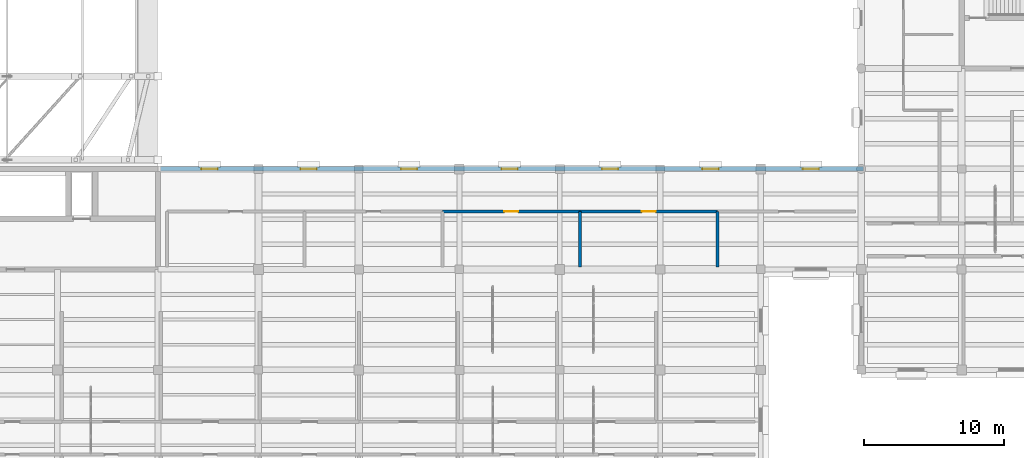
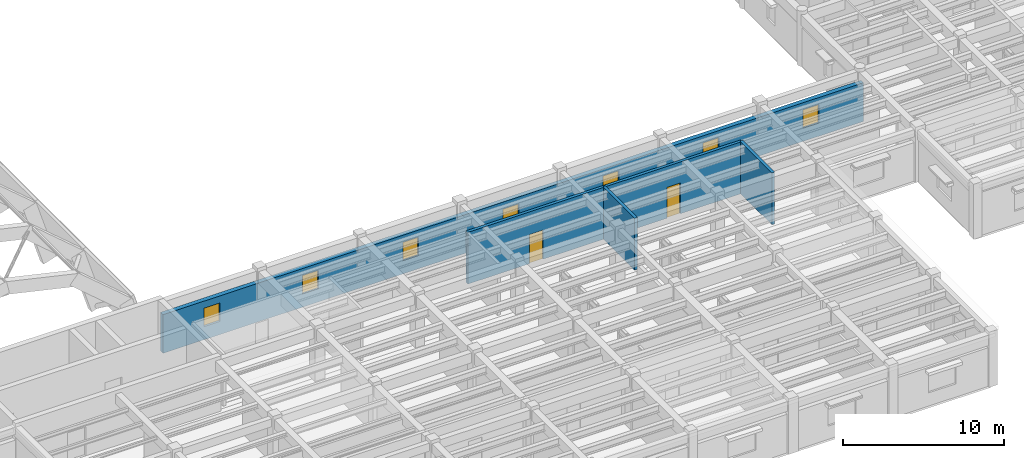
# One storey, part 42 of 66: 7 windows, 5 walls, 2 doors, 9 openings.
"""IFC4 building model written with IfcOpenShell, lengths in metres."""

from ifc_helpers import new_model, si_unit, direction, frame, frame_2d, origin, place, context, subcontext, project, spatial, rectangle, extrude, material, layer, layer_set, type_object, element, fill, save


model = new_model("IFC4")

# Units and contexts
model_context = context("Model", 3, precision=1e-05, world=origin(), true_north=direction((0.0, 1.0)))
body_context = subcontext(model_context, "Body", "Model", "MODEL_VIEW")
ifc_project = project(units=[si_unit("LENGTHUNIT", "METRE"), si_unit("AREAUNIT", "SQUARE_METRE"), si_unit("VOLUMEUNIT", "CUBIC_METRE"), si_unit("PLANEANGLEUNIT", "RADIAN"), si_unit("MASSUNIT", "GRAM", prefix="KILO")], contexts=[model_context])

# Site, building, storey
site_placement = place(None, origin())
site = spatial("IfcSite", under=ifc_project, at=site_placement, CompositionType="ELEMENT")
building_placement = place(site_placement, origin())
building = spatial("IfcBuilding", under=site, at=building_placement, Name="Mithqara Police Headquarters", CompositionType="ELEMENT")
storey_placement = place(building_placement, frame((0.0, 0.0, 9.60009765625)))
storey = spatial("IfcBuildingStorey", under=building, at=storey_placement, Name="L02", CompositionType="ELEMENT", Elevation=9.60009765625)

# Wall, openings, windows
ifc_material_1 = material(Name="Limestone ashlar masonry, 45 MPa", Category="masonry")
ifc_layer_1 = layer(ifc_material_1, 0.320068359375, Name="Limestone ashlar masonry, 45 MPa")
ifc_layer_set_1 = layer_set([ifc_layer_1], Name="Limestone ashlar masonry, 45 MPa")
wall_type_1 = type_object("IfcWallType", Name="EXT WALL LIMESTONE320", PredefinedType="SOLIDWALL", material=ifc_layer_set_1)
wall_1_placement = place(storey_placement, frame((144.760009765625, 35.39990234375, 0.0), z_axis=(0.0, 0.0, 1.0), x_axis=(-1.0, 0.0, 0.0)))
wall_1 = element("IfcWall", 1, at=wall_1_placement, inside=storey, type_object=wall_type_1, Name="L02 Exterior Wall 6.1", PredefinedType="SOLIDWALL", context=body_context, shape_type="SweptSolid", body=[
    extrude(rectangle(XDim=50.3701171875, YDim=0.320068359375, at=frame_2d((25.18505859375, 0.0))), origin(), (0.0, 0.0, 1.0), 2.93994140625),
])
opening_1_placement = place(wall_1_placement, frame((46.2900390625, 0.0, 1.0)))
opening_1 = element("IfcOpeningElement", 2, at=opening_1_placement, cuts=wall_1, Name="Opening W-11", PredefinedType="OPENING", context=body_context, shape_type="SweptSolid", body=[
    extrude(rectangle(XDim=1.14990234375, YDim=1.39990234375, at=frame_2d((0.574951171875, 0.699951171875))), frame((0.0, 0.169921875, 0.0), z_axis=(0.0, -1.0, 0.0), x_axis=(1.0, 0.0, 0.0)), (0.0, 0.0, 1.0), 0.340087890625),
])
opening_2_placement = place(wall_1_placement, frame((39.18505859375, 0.0, 1.0)))
opening_2 = element("IfcOpeningElement", 3, at=opening_2_placement, cuts=wall_1, Name="Opening W-11", PredefinedType="OPENING", context=body_context, shape_type="SweptSolid", body=[
    extrude(rectangle(XDim=1.14990234375, YDim=1.39990234375, at=frame_2d((0.574951171875, 0.699951171875))), frame((0.0, 0.169921875, 0.0), z_axis=(0.0, -1.0, 0.0), x_axis=(1.0, 0.0, 0.0)), (0.0, 0.0, 1.0), 0.340087890625),
])
opening_3_placement = place(wall_1_placement, frame((31.985107421875, 0.0, 1.0)))
opening_3 = element("IfcOpeningElement", 4, at=opening_3_placement, cuts=wall_1, Name="Opening W-11", PredefinedType="OPENING", context=body_context, shape_type="SweptSolid", body=[
    extrude(rectangle(XDim=1.14990234375, YDim=1.39990234375, at=frame_2d((0.574951171875, 0.699951171875))), frame((0.0, 0.169921875, 0.0), z_axis=(0.0, -1.0, 0.0), x_axis=(1.0, 0.0, 0.0)), (0.0, 0.0, 1.0), 0.340087890625),
])
opening_4_placement = place(wall_1_placement, frame((24.784912109375, 0.0, 1.0)))
opening_4 = element("IfcOpeningElement", 5, at=opening_4_placement, cuts=wall_1, Name="Opening W-11", PredefinedType="OPENING", context=body_context, shape_type="SweptSolid", body=[
    extrude(rectangle(XDim=1.14990234375, YDim=1.39990234375, at=frame_2d((0.574951171875, 0.699951171875))), frame((0.0, 0.169921875, 0.0), z_axis=(0.0, -1.0, 0.0), x_axis=(1.0, 0.0, 0.0)), (0.0, 0.0, 1.0), 0.340087890625),
])
opening_5_placement = place(wall_1_placement, frame((17.5849609375, 0.0, 1.0)))
opening_5 = element("IfcOpeningElement", 6, at=opening_5_placement, cuts=wall_1, Name="Opening W-11", PredefinedType="OPENING", context=body_context, shape_type="SweptSolid", body=[
    extrude(rectangle(XDim=1.14990234375, YDim=1.39990234375, at=frame_2d((0.574951171875, 0.699951171875))), frame((0.0, 0.169921875, 0.0), z_axis=(0.0, -1.0, 0.0), x_axis=(1.0, 0.0, 0.0)), (0.0, 0.0, 1.0), 0.340087890625),
])
opening_6_placement = place(wall_1_placement, frame((10.385009765625, 0.0, 1.0)))
opening_6 = element("IfcOpeningElement", 7, at=opening_6_placement, cuts=wall_1, Name="Opening W-11", PredefinedType="OPENING", context=body_context, shape_type="SweptSolid", body=[
    extrude(rectangle(XDim=1.14990234375, YDim=1.39990234375, at=frame_2d((0.574951171875, 0.699951171875))), frame((0.0, 0.169921875, 0.0), z_axis=(0.0, -1.0, 0.0), x_axis=(1.0, 0.0, 0.0)), (0.0, 0.0, 1.0), 0.340087890625),
])
opening_7_placement = place(wall_1_placement, frame((3.18505859375, 0.0, 1.0)))
opening_7 = element("IfcOpeningElement", 8, at=opening_7_placement, cuts=wall_1, Name="Opening W-11", PredefinedType="OPENING", context=body_context, shape_type="SweptSolid", body=[
    extrude(rectangle(XDim=1.14990234375, YDim=1.39990234375, at=frame_2d((0.574951171875, 0.699951171875))), frame((0.0, 0.169921875, 0.0), z_axis=(0.0, -1.0, 0.0), x_axis=(1.0, 0.0, 0.0)), (0.0, 0.0, 1.0), 0.340087890625),
])
ifc_material_2 = material(Name="Spectrally selective double low-e glass", Category="glass")
window_type = type_object("IfcWindowType", Name="WINDOW 1150X1400", PartitioningType="SINGLE_PANEL", PredefinedType="WINDOW", material=ifc_material_2)
window_1_placement = place(opening_1_placement, origin())
window_1 = element("IfcWindow", 9, at=window_1_placement, inside=storey, type_object=window_type, Name="L02 Deep-Set Punched Window 6.1", OverallHeight=1.39990234375, OverallWidth=1.14990234375, PartitioningType="SINGLE_PANEL", PredefinedType="WINDOW", context=body_context, shape_type="SweptSolid", body=[
    extrude(rectangle(XDim=1.14990234375, YDim=1.39990234375, at=frame_2d((0.574951171875, 0.699951171875))), frame((0.0, 0.030029296875, 0.0), z_axis=(0.0, -1.0, 0.0), x_axis=(1.0, 0.0, 0.0)), (0.0, 0.0, 1.0), 0.06005859375),
])
fill(opening_1, window_1)
window_2_placement = place(opening_2_placement, origin())
window_2 = element("IfcWindow", 10, at=window_2_placement, inside=storey, type_object=window_type, Name="L02 Deep-Set Punched Window 6.2", OverallHeight=1.39990234375, OverallWidth=1.14990234375, PartitioningType="SINGLE_PANEL", PredefinedType="WINDOW", context=body_context, shape_type="SweptSolid", body=[
    extrude(rectangle(XDim=1.14990234375, YDim=1.39990234375, at=frame_2d((0.574951171875, 0.699951171875))), frame((0.0, 0.030029296875, 0.0), z_axis=(0.0, -1.0, 0.0), x_axis=(1.0, 0.0, 0.0)), (0.0, 0.0, 1.0), 0.06005859375),
])
fill(opening_2, window_2)
window_3_placement = place(opening_3_placement, origin())
window_3 = element("IfcWindow", 11, at=window_3_placement, inside=storey, type_object=window_type, Name="L02 Deep-Set Punched Window 6.3", OverallHeight=1.39990234375, OverallWidth=1.14990234375, PartitioningType="SINGLE_PANEL", PredefinedType="WINDOW", context=body_context, shape_type="SweptSolid", body=[
    extrude(rectangle(XDim=1.14990234375, YDim=1.39990234375, at=frame_2d((0.574951171875, 0.699951171875))), frame((0.0, 0.030029296875, 0.0), z_axis=(0.0, -1.0, 0.0), x_axis=(1.0, 0.0, 0.0)), (0.0, 0.0, 1.0), 0.06005859375),
])
fill(opening_3, window_3)
window_4_placement = place(opening_4_placement, origin())
window_4 = element("IfcWindow", 12, at=window_4_placement, inside=storey, type_object=window_type, Name="L02 Deep-Set Punched Window 6.4", OverallHeight=1.39990234375, OverallWidth=1.14990234375, PartitioningType="SINGLE_PANEL", PredefinedType="WINDOW", context=body_context, shape_type="SweptSolid", body=[
    extrude(rectangle(XDim=1.14990234375, YDim=1.39990234375, at=frame_2d((0.574951171875, 0.699951171875))), frame((0.0, 0.030029296875, 0.0), z_axis=(0.0, -1.0, 0.0), x_axis=(1.0, 0.0, 0.0)), (0.0, 0.0, 1.0), 0.06005859375),
])
fill(opening_4, window_4)
window_5_placement = place(opening_5_placement, origin())
window_5 = element("IfcWindow", 13, at=window_5_placement, inside=storey, type_object=window_type, Name="L02 Deep-Set Punched Window 6.5", OverallHeight=1.39990234375, OverallWidth=1.14990234375, PartitioningType="SINGLE_PANEL", PredefinedType="WINDOW", context=body_context, shape_type="SweptSolid", body=[
    extrude(rectangle(XDim=1.14990234375, YDim=1.39990234375, at=frame_2d((0.574951171875, 0.699951171875))), frame((0.0, 0.030029296875, 0.0), z_axis=(0.0, -1.0, 0.0), x_axis=(1.0, 0.0, 0.0)), (0.0, 0.0, 1.0), 0.06005859375),
])
fill(opening_5, window_5)
window_6_placement = place(opening_6_placement, origin())
window_6 = element("IfcWindow", 14, at=window_6_placement, inside=storey, type_object=window_type, Name="L02 Deep-Set Punched Window 6.6", OverallHeight=1.39990234375, OverallWidth=1.14990234375, PartitioningType="SINGLE_PANEL", PredefinedType="WINDOW", context=body_context, shape_type="SweptSolid", body=[
    extrude(rectangle(XDim=1.14990234375, YDim=1.39990234375, at=frame_2d((0.574951171875, 0.699951171875))), frame((0.0, 0.030029296875, 0.0), z_axis=(0.0, -1.0, 0.0), x_axis=(1.0, 0.0, 0.0)), (0.0, 0.0, 1.0), 0.06005859375),
])
fill(opening_6, window_6)
window_7_placement = place(opening_7_placement, origin())
window_7 = element("IfcWindow", 15, at=window_7_placement, inside=storey, type_object=window_type, Name="L02 Deep-Set Punched Window 6.7", OverallHeight=1.39990234375, OverallWidth=1.14990234375, PartitioningType="SINGLE_PANEL", PredefinedType="WINDOW", context=body_context, shape_type="SweptSolid", body=[
    extrude(rectangle(XDim=1.14990234375, YDim=1.39990234375, at=frame_2d((0.574951171875, 0.699951171875))), frame((0.0, 0.030029296875, 0.0), z_axis=(0.0, -1.0, 0.0), x_axis=(1.0, 0.0, 0.0)), (0.0, 0.0, 1.0), 0.06005859375),
])
fill(opening_7, window_7)

# Wall, opening, door
ifc_material_3 = material(Name="Concrete C40/50", Category="concrete")
ifc_layer_2 = layer(ifc_material_3, 0.2099609375, Name="Concrete C40/50")
ifc_layer_set_2 = layer_set([ifc_layer_2], Name="Concrete C40/50")
wall_type_2 = type_object("IfcWallType", Name="PART WALL 210", PredefinedType="PARTITIONING", material=ifc_layer_set_2)
wall_2_placement = place(storey_placement, frame((114.58203125, 32.360107421875, 0.0), z_axis=(0.0, 0.0, 1.0), x_axis=(1.0, 0.0, 0.0)))
wall_2 = element("IfcWall", 16, at=wall_2_placement, inside=storey, type_object=wall_type_2, Name="L02 Corridor Wall Community Safety Analysis Office", PredefinedType="PARTITIONING", context=body_context, shape_type="SweptSolid", body=[
    extrude(rectangle(XDim=9.865966796875, YDim=0.2099609375, at=frame_2d((4.93310546875, 0.0))), origin(), (0.0, 0.0, 1.0), 3.93994140625),
])
opening_8_placement = place(wall_2_placement, frame((4.443115234375, 0.0, 0.0)))
opening_8 = element("IfcOpeningElement", 17, at=opening_8_placement, cuts=wall_2, Name="Opening D-05", PredefinedType="OPENING", context=body_context, shape_type="SweptSolid", body=[
    extrude(rectangle(XDim=0.97998046875, YDim=2.219970703125, at=frame_2d((0.489990234375, 1.10986328125))), frame((0.0, 0.114990234375, 0.0), z_axis=(0.0, -1.0, 0.0), x_axis=(1.0, 0.0, 0.0)), (0.0, 0.0, 1.0), 0.22998046875),
])
ifc_material_4 = material(Name="Acoustic solid-core timber leaf", Category="wood")
door_type_1 = type_object("IfcDoorType", Name="INT DOOR 980X2220", OperationType="NOTDEFINED", PredefinedType="DOOR", material=ifc_material_4)
door_1_placement = place(opening_8_placement, frame((0.97998046875, 0.0, 0.0), z_axis=(0.0, 0.0, 1.0), x_axis=(-1.0, 0.0, 0.0)))
door_1 = element("IfcDoor", 18, at=door_1_placement, inside=storey, type_object=door_type_1, Name="Community Safety Analysis Office Entry Door", OperationType="SINGLE_SWING_RIGHT", OverallHeight=2.219970703125, OverallWidth=0.97998046875, PredefinedType="DOOR", context=body_context, shape_type="SweptSolid", body=[
    extrude(rectangle(XDim=0.97998046875, YDim=2.219970703125, at=frame_2d((0.489990234375, 1.10986328125))), frame((0.0, 0.02490234375, 0.0), z_axis=(0.0, -1.0, 0.0), x_axis=(1.0, 0.0, 0.0)), (0.0, 0.0, 1.0), 0.050048828125),
])
fill(opening_8, door_1)

# Wall
wall_3_placement = place(storey_placement, frame((124.447998046875, 28.3798828125, 0.0), z_axis=(0.0, 0.0, 1.0), x_axis=(0.0, 1.0, 0.0)))
element("IfcWall", 19, at=wall_3_placement, inside=storey, type_object=wall_type_2, Name="L02 Room Partition Community Safety Analysis Office", PredefinedType="PARTITIONING", context=body_context, shape_type="SweptSolid", body=[
    extrude(rectangle(XDim=3.980224609375, YDim=0.2099609375, at=frame_2d((1.990234375, 0.0))), origin(), (0.0, 0.0, 1.0), 3.93994140625),
])

# Wall, opening, door
wall_4_placement = place(storey_placement, frame((124.447998046875, 32.360107421875, 0.0), z_axis=(0.0, 0.0, 1.0), x_axis=(1.0, 0.0, 0.0)))
wall_4 = element("IfcWall", 20, at=wall_4_placement, inside=storey, type_object=wall_type_2, Name="L02 Corridor Wall Crime Prevention Outreach Room", PredefinedType="PARTITIONING", context=body_context, shape_type="SweptSolid", body=[
    extrude(rectangle(XDim=9.865966796875, YDim=0.2099609375, at=frame_2d((4.93310546875, 0.0))), origin(), (0.0, 0.0, 1.0), 3.93994140625),
])
opening_9_placement = place(wall_4_placement, frame((4.443115234375, 0.0, 0.0)))
opening_9 = element("IfcOpeningElement", 21, at=opening_9_placement, cuts=wall_4, Name="Opening D-06", PredefinedType="OPENING", context=body_context, shape_type="SweptSolid", body=[
    extrude(rectangle(XDim=0.97998046875, YDim=2.35009765625, at=frame_2d((0.489990234375, 1.175048828125))), frame((0.0, 0.114990234375, 0.0), z_axis=(0.0, -1.0, 0.0), x_axis=(1.0, 0.0, 0.0)), (0.0, 0.0, 1.0), 0.22998046875),
])
door_type_2 = type_object("IfcDoorType", Name="INT DOOR 980X2350", OperationType="NOTDEFINED", PredefinedType="DOOR", material=ifc_material_4)
door_2_placement = place(opening_9_placement, frame((0.97998046875, 0.0, 0.0), z_axis=(0.0, 0.0, 1.0), x_axis=(-1.0, 0.0, 0.0)))
door_2 = element("IfcDoor", 22, at=door_2_placement, inside=storey, type_object=door_type_2, Name="Crime Prevention Outreach Room Entry Door", OperationType="SINGLE_SWING_LEFT", OverallHeight=2.35009765625, OverallWidth=0.97998046875, PredefinedType="DOOR", context=body_context, shape_type="SweptSolid", body=[
    extrude(rectangle(XDim=0.97998046875, YDim=2.35009765625, at=frame_2d((0.489990234375, 1.175048828125))), frame((0.0, 0.02490234375, 0.0), z_axis=(0.0, -1.0, 0.0), x_axis=(1.0, 0.0, 0.0)), (0.0, 0.0, 1.0), 0.050048828125),
])
fill(opening_9, door_2)

# Wall
wall_5_placement = place(storey_placement, frame((134.31396484375, 28.3798828125, 0.0), z_axis=(0.0, 0.0, 1.0), x_axis=(0.0, 1.0, 0.0)))
element("IfcWall", 23, at=wall_5_placement, inside=storey, type_object=wall_type_2, Name="L02 Room Partition Crime Prevention Outreach Room", PredefinedType="PARTITIONING", context=body_context, shape_type="SweptSolid", body=[
    extrude(rectangle(XDim=3.980224609375, YDim=0.2099609375, at=frame_2d((1.990234375, 0.0))), origin(), (0.0, 0.0, 1.0), 3.93994140625),
])

save(model, "model.ifc")
